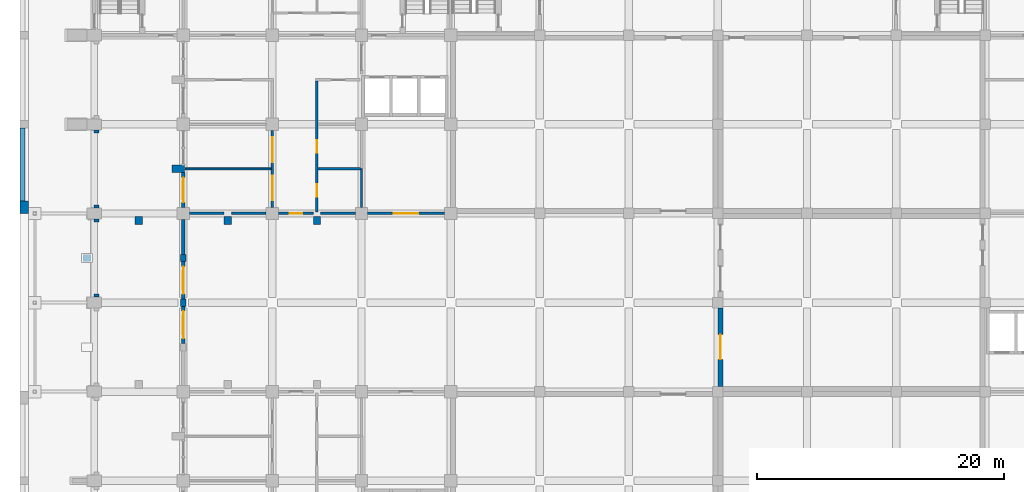
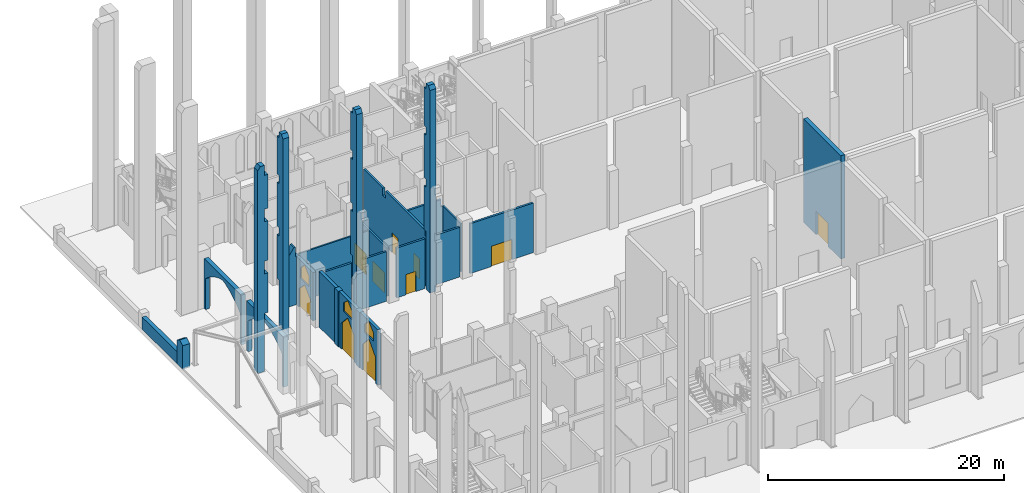
# One storey, part 32 of 50: 26 walls, 10 doors, 3 windows, 13 openings.
"""IFC4 building model written with IfcOpenShell, lengths in metres."""

import ifcopenshell
import ifcopenshell.guid

model = None  # the IFC model being written
_history = None  # IfcOwnerHistory: only IFC2X3 demands one
_inside = {}  # id of a spatial element -> (the spatial element, [elements in it])
_under = {}  # id of a project, library or spatial element -> (it, [spatial elements below it])
_declared = {}  # id of a project -> (the project, [libraries it declares])
_typed = {}  # id of a type object -> (the type object, [elements of that type])
_made_of = {}  # id of a material, layer set ... -> (it, [elements and type objects made of it])


def new_model(schema):
    """Start an empty IFC model of exactly this schema.

    Asked for "IFC4X3", IfcOpenShell would pick the latest addendum, in which some entities
    have other attributes; the version numbers below select the first issue.
    IFC2X3 requires an IfcOwnerHistory on every rooted entity: one is made here for all.
    """
    global model, _history
    if schema == "IFC4X3":
        model = ifcopenshell.file(schema_version=(4, 3, 0, 0))
    else:
        model = ifcopenshell.file(schema=schema)
    _inside.clear()
    _under.clear()
    _declared.clear()
    _typed.clear()
    _made_of.clear()
    _history = None
    if model.schema == "IFC2X3":
        org = make("IfcOrganization", Name="unknown")
        user = make(
            "IfcPersonAndOrganization",
            ThePerson=make("IfcPerson", FamilyName="unknown"),
            TheOrganization=org,
        )
        app = make(
            "IfcApplication",
            ApplicationDeveloper=org,
            Version="unknown",
            ApplicationFullName="unknown",
            ApplicationIdentifier="unknown",
        )
        _history = make(
            "IfcOwnerHistory",
            OwningUser=user,
            OwningApplication=app,
            ChangeAction="ADDED",
            CreationDate=0,
        )
    return model


def make(cls, **values):
    """One entity of the class cls with the attributes given. An attribute that is None is left unset."""
    return model.create_entity(
        cls, **{name: value for name, value in values.items() if value is not None}
    )


def rooted(cls, **values):
    """An entity with a GlobalId (a new one), such as an element, a storey or a relation."""
    return make(cls, GlobalId=ifcopenshell.guid.new(), OwnerHistory=_history, **values)


def si_unit(unit_type, name, prefix=None):
    """IfcSIUnit, for example si_unit("LENGTHUNIT", "METRE", prefix="MILLI")."""
    return make("IfcSIUnit", UnitType=unit_type, Prefix=prefix, Name=name)


def assignment(units):
    """IfcUnitAssignment: the units of a project."""
    return None if units is None else make("IfcUnitAssignment", Units=units)


def point(xyz):
    """IfcCartesianPoint."""
    return None if xyz is None else make("IfcCartesianPoint", Coordinates=xyz)


def direction(xyz):
    """IfcDirection."""
    return None if xyz is None else make("IfcDirection", DirectionRatios=xyz)


def frame(location, z_axis=None, x_axis=None):
    """IfcAxis2Placement3D, a coordinate frame: its origin and axes. An axis left out is left unset."""
    return make(
        "IfcAxis2Placement3D",
        Location=point(location),
        Axis=direction(z_axis),
        RefDirection=direction(x_axis),
    )


def frame_2d(location, x_axis=None):
    """IfcAxis2Placement2D, a coordinate frame in the plane: its origin and x axis."""
    return make(
        "IfcAxis2Placement2D", Location=point(location), RefDirection=direction(x_axis)
    )


def origin():
    """The frame at (0, 0, 0) with its axes left unset."""
    return frame((0.0, 0.0, 0.0))


def place(relative_to, where):
    """IfcLocalPlacement: puts the frame where relative to a parent placement (None: the world)."""
    return make(
        "IfcLocalPlacement", PlacementRelTo=relative_to, RelativePlacement=where
    )


def context(
    kind, dimensions, precision=None, world=None, true_north=None, identifier=None
):
    """IfcGeometricRepresentationContext, for example the 3D "Model" context."""
    return make(
        "IfcGeometricRepresentationContext",
        ContextIdentifier=identifier,
        ContextType=kind,
        CoordinateSpaceDimension=dimensions,
        Precision=precision,
        WorldCoordinateSystem=world,
        TrueNorth=true_north,
    )


def subcontext(parent, identifier, kind, view, scale=None):
    """IfcGeometricRepresentationSubContext, for example "Body" below "Model"."""
    return make(
        "IfcGeometricRepresentationSubContext",
        ContextIdentifier=identifier,
        ContextType=kind,
        ParentContext=parent,
        TargetScale=scale,
        TargetView=view,
    )


def project(units=None, contexts=None):
    """IfcProject with its units and contexts."""
    return rooted(
        "IfcProject",
        Name="project",
        RepresentationContexts=contexts,
        UnitsInContext=assignment(units),
    )


def spatial(cls, under=None, at=None, **own):
    """A site, building, storey or space (cls), placed at a placement, below another one or the project."""
    s = rooted(cls, ObjectPlacement=at, **own)
    if under is not None:
        _under.setdefault(under.id(), (under, []))[1].append(s)
    return s


def polyline(points):
    """IfcPolyline through the points."""
    return make("IfcPolyline", Points=[point(p) for p in points])


def profile(cls, at=None, kind="AREA", **sizes):
    """A parametric profile (cls). Its sizes go by their IFC names, for example OverallWidth=200.0."""
    return make(cls, ProfileType=kind, Position=at, **sizes)


def rectangle(**sizes):
    """IfcRectangleProfileDef."""
    return profile("IfcRectangleProfileDef", **sizes)


def outline(outer, holes=None, kind="AREA"):
    """IfcArbitraryClosedProfileDef: a profile drawn as a closed curve; with holes, ...WithVoids."""
    if holes is None:
        return make("IfcArbitraryClosedProfileDef", ProfileType=kind, OuterCurve=outer)
    return make(
        "IfcArbitraryProfileDefWithVoids",
        ProfileType=kind,
        OuterCurve=outer,
        InnerCurves=holes,
    )


def extrude(swept, where, along, depth):
    """IfcExtrudedAreaSolid: the profile swept, set in the frame where, extruded along a direction by depth."""
    return make(
        "IfcExtrudedAreaSolid",
        SweptArea=swept,
        Position=where,
        ExtrudedDirection=direction(along),
        Depth=depth,
    )


def shape(context_of_items, identifier, shape_type, items):
    """IfcShapeRepresentation: the items that make up one representation, for example the "Body"."""
    return make(
        "IfcShapeRepresentation",
        ContextOfItems=context_of_items,
        RepresentationIdentifier=identifier,
        RepresentationType=shape_type,
        Items=items,
    )


def material(Name=None, Category=None):
    """IfcMaterial."""
    return make("IfcMaterial", Name=Name, Category=Category)


def layer(
    of_material, thickness, ventilated=None, Name=None, Category=None, Priority=None
):
    """IfcMaterialLayer: one layer of a wall or slab, of a material (None: an air gap)."""
    return make(
        "IfcMaterialLayer",
        Material=of_material,
        LayerThickness=thickness,
        IsVentilated=ventilated,
        Name=Name,
        Category=Category,
        Priority=Priority,
    )


def layer_set(layers, Name=None):
    """IfcMaterialLayerSet."""
    return make("IfcMaterialLayerSet", MaterialLayers=layers, LayerSetName=Name)


def made_of(thing, what):
    """Note that an element or type object is made of a material, layer set ...; save() writes the relation."""
    if what is not None:
        _made_of.setdefault(what.id(), (what, []))[1].append(thing)
    return thing


def type_object(cls, material=None, **own):
    """A type object (cls), such as IfcWallType, which elements share."""
    return made_of(rooted(cls, **own), material)


def element(
    cls,
    number,
    at=None,
    inside=None,
    cuts=None,
    type_object=None,
    material=None,
    context=None,
    identifier="Body",
    shape_type=None,
    held_by="IfcProductDefinitionShape",
    body=None,
    shapes=None,
    **own,
):
    """One element of the class cls, such as IfcWall. Its Tag is "e" and its number.

    at: its placement. inside: the storey or other place that contains it. cuts: it is an
    opening in that element (IfcRelVoidsElement). A single representation is given by context,
    identifier, shape_type and body (its items); several are given by shapes. held_by: the class
    of the entity that holds the representations. save() writes the other relations.
    """
    e = rooted(cls, Tag="e%d" % number, ObjectPlacement=at, **own)
    if body is not None:
        shapes = [shape(context, identifier, shape_type, body)]
    if shapes is not None:
        e.Representation = make(held_by, Representations=shapes)
    if inside is not None:
        _inside.setdefault(inside.id(), (inside, []))[1].append(e)
    if cuts is not None:
        rooted(
            "IfcRelVoidsElement", RelatingBuildingElement=cuts, RelatedOpeningElement=e
        )
    if type_object is not None:
        _typed.setdefault(type_object.id(), (type_object, []))[1].append(e)
    return made_of(e, material)


def fill(opening, filler):
    """IfcRelFillsElement: the door or window that sits in an opening."""
    return rooted(
        "IfcRelFillsElement",
        RelatingOpeningElement=opening,
        RelatedBuildingElement=filler,
    )


def aggregate(whole, parts):
    """IfcRelAggregates: a whole, such as a stair, and the parts it consists of."""
    return rooted("IfcRelAggregates", RelatingObject=whole, RelatedObjects=parts)


def save(model, path):
    """Write the relations noted so far, then the file.

    IfcRelAggregates (storeys below a building ...), IfcRelContainedInSpatialStructure (elements
    in a storey), IfcRelDefinesByType, IfcRelAssociatesMaterial and IfcRelDeclares: one each for
    every whole, place, type object, material and project.
    """
    for whole, parts in _under.values():
        aggregate(whole, parts)
    for where, things in _inside.values():
        rooted(
            "IfcRelContainedInSpatialStructure",
            RelatedElements=things,
            RelatingStructure=where,
        )
    for kind, things in _typed.values():
        rooted("IfcRelDefinesByType", RelatedObjects=things, RelatingType=kind)
    for what, things in _made_of.values():
        rooted("IfcRelAssociatesMaterial", RelatedObjects=things, RelatingMaterial=what)
    for by, libraries in _declared.values():
        rooted("IfcRelDeclares", RelatingContext=by, RelatedDefinitions=libraries)
    model.write(path)


model = new_model("IFC4")

# Units and contexts
model_context = context("Model", 3, precision=1e-05, world=origin(), true_north=direction((0.0, 1.0)))
body_context = subcontext(model_context, "Body", "Model", "MODEL_VIEW")
ifc_project = project(units=[si_unit("LENGTHUNIT", "METRE"), si_unit("AREAUNIT", "SQUARE_METRE"), si_unit("VOLUMEUNIT", "CUBIC_METRE"), si_unit("PLANEANGLEUNIT", "RADIAN"), si_unit("MASSUNIT", "GRAM", prefix="KILO")], contexts=[model_context])

# Site, building, storey
site_placement = place(None, origin())
site = spatial("IfcSite", under=ifc_project, at=site_placement, CompositionType="ELEMENT")
building_placement = place(site_placement, origin())
building = spatial("IfcBuilding", under=site, at=building_placement, Name="Silangan Lancet Faculty of Sciences", CompositionType="ELEMENT")
storey_placement = place(building_placement, origin())
storey = spatial("IfcBuildingStorey", under=building, at=storey_placement, Name="L00", CompositionType="ELEMENT", Elevation=0.0)

# Wall, openings, window, door
ifc_material_1 = material(Name="Concrete C40/50 precast", Category="concrete")
ifc_layer_1 = layer(ifc_material_1, 0.300048828125)
ifc_layer_set_1 = layer_set([ifc_layer_1], Name="Concrete C40/50 precast")
wall_type_1 = type_object("IfcWallType", Name="EW1 Precast cladding wall", PredefinedType="STANDARD", material=ifc_layer_set_1)
wall_1_placement = place(storey_placement, frame((7.199951171875, 36.5, 0.0), z_axis=(0.0, 0.0, 1.0), x_axis=(0.0, 1.0, 0.0)))
wall_1 = element("IfcWall", 1, at=wall_1_placement, inside=storey, type_object=wall_type_1, Name="EW-L00-SHOP-W-N-m00", PredefinedType="STANDARD", context=body_context, shape_type="SweptSolid", body=[
    extrude(rectangle(XDim=2.800048828125, YDim=0.300048828125, at=frame_2d((1.39990234375, 0.0))), origin(), (0.0, 0.0, 1.0), 5.0),
])
opening_1_placement = place(wall_1_placement, frame((0.39990234375, 0.0, 0.0)))
opening_1 = element("IfcOpeningElement", 2, at=opening_1_placement, cuts=wall_1, Name="Opening L00-922", PredefinedType="OPENING", context=body_context, shape_type="SweptSolid", body=[
    extrude(outline(polyline([(0.0, 0.0), (2.0, 0.0), (2.0, 1.89990234375), (1.0, 2.89990234375), (0.0, 1.89990234375), (0.0, 0.0)])), frame((0.0, 0.159912109375, 0.0), z_axis=(0.0, -1.0, 0.0), x_axis=(1.0, 0.0, 0.0)), (0.0, 0.0, 1.0), 0.320068359375),
])
opening_2_placement = place(wall_1_placement, frame((0.64990234375, 0.0, 3.14990234375)))
opening_2 = element("IfcOpeningElement", 3, at=opening_2_placement, cuts=wall_1, Name="Opening W1", PredefinedType="OPENING", context=body_context, shape_type="SweptSolid", body=[
    extrude(outline(polyline([(0.0, 0.0), (1.5, 0.0), (1.5, 1.050048828125), (0.75, 1.800048828125), (0.0, 1.050048828125), (0.0, 0.0)])), frame((0.0, 0.159912109375, 0.0), z_axis=(0.0, -1.0, 0.0), x_axis=(1.0, 0.0, 0.0)), (0.0, 0.0, 1.0), 0.320068359375),
])
ifc_material_2 = material(Name="Aluminium frame, laminated double glazing", Category="aluminium")
window_type_1 = type_object("IfcWindowType", Name="W1 Lancet window 1500 x 1800 on a 3150 sill", PartitioningType="SINGLE_PANEL", PredefinedType="WINDOW", material=ifc_material_2)
window_1_placement = place(opening_2_placement, origin())
window_1 = element("IfcWindow", 4, at=window_1_placement, inside=storey, type_object=window_type_1, Name="WIN-L00-SHOP-W-N-m00", OverallHeight=1.800048828125, OverallWidth=1.5, PartitioningType="SINGLE_PANEL", PredefinedType="WINDOW", context=body_context, shape_type="SweptSolid", body=[
    extrude(outline(polyline([(0.0, 0.0), (1.5, 0.0), (1.5, 1.050048828125), (0.75, 1.800048828125), (0.0, 1.050048828125), (0.0, 0.0)])), frame((0.0, 0.030029296875, 0.0), z_axis=(0.0, -1.0, 0.0), x_axis=(1.0, 0.0, 0.0)), (0.0, 0.0, 1.0), 0.06005859375),
])
fill(opening_2, window_1)
ifc_material_3 = material(Name="Aluminium frame, laminated glazing", Category="aluminium")
door_type_1 = type_object("IfcDoorType", Name="XD7 Entrance door pair 2000 x 2900", OperationType="DOUBLE_DOOR_SINGLE_SWING", PredefinedType="DOOR", material=ifc_material_3)
door_1_placement = place(opening_1_placement, origin())
door_1 = element("IfcDoor", 5, at=door_1_placement, inside=storey, type_object=door_type_1, Name="DOOR-L00-922", OperationType="DOUBLE_DOOR_SINGLE_SWING", OverallHeight=2.89990234375, OverallWidth=2.0, PredefinedType="DOOR", context=body_context, shape_type="SweptSolid", body=[
    extrude(outline(polyline([(0.0, 0.0), (2.0, 0.0), (2.0, 1.89990234375), (1.0, 2.89990234375), (0.0, 1.89990234375), (0.0, 0.0)])), frame((0.0, 0.02490234375, 0.0), z_axis=(0.0, -1.0, 0.0), x_axis=(1.0, 0.0, 0.0)), (0.0, 0.0, 1.0), 0.050048828125),
])
fill(opening_1, door_1)

# Walls
ifc_material_4 = material(Name="Concrete C40/50", Category="concrete")
ifc_layer_2 = layer(ifc_material_4, 0.39990234375)
ifc_layer_set_2 = layer_set([ifc_layer_2], Name="Concrete C40/50")
wall_type_2 = type_object("IfcWallType", Name="EW11 Forecourt stone wall 400", PredefinedType="STANDARD", material=ifc_layer_set_2)
wall_2_placement = place(storey_placement, frame((-5.800048828125, 37.0, -0.14990234375), z_axis=(0.0, 0.0, 1.0), x_axis=(0.0, 1.0, 0.0)))
element("IfcWall", 6, at=wall_2_placement, inside=storey, type_object=wall_type_2, Name="BWF-05", PredefinedType="STANDARD", context=body_context, shape_type="SweptSolid", body=[
    extrude(rectangle(XDim=5.89990234375, YDim=0.39990234375, at=frame_2d((2.949951171875, 0.0))), origin(), (0.0, 0.0, 1.0), 1.25),
])
ifc_material_5 = material(Name="Concrete C40/50", Category="concrete")
ifc_layer_3 = layer(ifc_material_5, 0.699951171875)
ifc_layer_set_3 = layer_set([ifc_layer_3], Name="Concrete C40/50")
wall_type_3 = type_object("IfcWallType", Name="EW13 Forecourt gate pier with gabled cap", PredefinedType="POLYGONAL", material=ifc_layer_set_3)
wall_3_placement = place(storey_placement, frame((-5.64990234375, 36.0, -0.14990234375), z_axis=(0.0, 0.0, 1.0), x_axis=(0.0, 1.0, 0.0)))
element("IfcWall", 7, at=wall_3_placement, inside=storey, type_object=wall_type_3, Name="BPG-02", PredefinedType="POLYGONAL", context=body_context, shape_type="SweptSolid", body=[
    extrude(outline(polyline([(0.0, 0.0), (1.0, 0.0), (1.0, 2.449951171875), (0.5, 2.75), (0.0, 2.449951171875), (0.0, 0.0)])), frame((0.0, 0.35009765625, 0.0), z_axis=(0.0, -1.0, 0.0), x_axis=(1.0, 0.0, 0.0)), (0.0, 0.0, 1.0), 0.699951171875),
])

# Wall, openings, window, door
ifc_material_6 = material(Name="Concrete C40/50 precast", Category="concrete")
ifc_layer_4 = layer(ifc_material_6, 0.300048828125)
ifc_layer_set_4 = layer_set([ifc_layer_4], Name="Concrete C40/50 precast")
wall_type_4 = type_object("IfcWallType", Name="EW3 Portal wall", PredefinedType="SOLIDWALL", material=ifc_layer_set_4)
wall_4_placement = place(storey_placement, frame((7.199951171875, 25.5, 0.0), z_axis=(0.0, 0.0, 1.0), x_axis=(0.0, 1.0, 0.0)))
wall_4 = element("IfcWall", 8, at=wall_4_placement, inside=storey, type_object=wall_type_4, Name="PORTAL-BAY-S", PredefinedType="SOLIDWALL", context=body_context, shape_type="SweptSolid", body=[
    extrude(rectangle(XDim=3.0, YDim=0.300048828125, at=frame_2d((1.5, 0.0))), origin(), (0.0, 0.0, 1.0), 5.75),
])
opening_3_placement = place(wall_4_placement, frame((0.39990234375, 0.0, 0.0)))
opening_3 = element("IfcOpeningElement", 9, at=opening_3_placement, cuts=wall_4, Name="Opening L00-923", PredefinedType="OPENING", context=body_context, shape_type="SweptSolid", body=[
    extrude(outline(polyline([(0.0, 0.0), (2.199951171875, 0.0), (2.199951171875, 2.699951171875), (1.10009765625, 3.89990234375), (0.0, 2.699951171875), (0.0, 0.0)])), frame((0.0, 0.159912109375, 0.0), z_axis=(0.0, -1.0, 0.0), x_axis=(1.0, 0.0, 0.0)), (0.0, 0.0, 1.0), 0.320068359375),
])
opening_4_placement = place(wall_4_placement, frame((0.75, 0.0, 4.14990234375)))
opening_4 = element("IfcOpeningElement", 10, at=opening_4_placement, cuts=wall_4, Name="Opening W29", PredefinedType="OPENING", context=body_context, shape_type="SweptSolid", body=[
    extrude(outline(polyline([(0.0, 0.0), (1.5, 0.0), (1.5, 0.85009765625), (0.75, 1.550048828125), (0.0, 0.85009765625), (0.0, 0.0)])), frame((0.0, 0.159912109375, 0.0), z_axis=(0.0, -1.0, 0.0), x_axis=(1.0, 0.0, 0.0)), (0.0, 0.0, 1.0), 0.320068359375),
])
ifc_material_7 = material(Name="Aluminium frame, laminated double glazing", Category="aluminium")
window_type_2 = type_object("IfcWindowType", Name="W29 Lancet window 1500 x 1550 on a 4150 sill", PartitioningType="SINGLE_PANEL", PredefinedType="WINDOW", material=ifc_material_7)
window_2_placement = place(opening_4_placement, origin())
window_2 = element("IfcWindow", 11, at=window_2_placement, inside=storey, type_object=window_type_2, Name="WIN-L00-PORTAL-BAY-S", OverallHeight=1.550048828125, OverallWidth=1.5, PartitioningType="SINGLE_PANEL", PredefinedType="WINDOW", context=body_context, shape_type="SweptSolid", body=[
    extrude(outline(polyline([(0.0, 0.0), (1.5, 0.0), (1.5, 0.85009765625), (0.75, 1.550048828125), (0.0, 0.85009765625), (0.0, 0.0)])), frame((0.0, 0.030029296875, 0.0), z_axis=(0.0, -1.0, 0.0), x_axis=(1.0, 0.0, 0.0)), (0.0, 0.0, 1.0), 0.06005859375),
])
fill(opening_4, window_2)
ifc_material_8 = material(Name="Aluminium frame, laminated glazing", Category="aluminium")
door_type_2 = type_object("IfcDoorType", Name="XD8 Portal door pair 2200 x 3900", OperationType="DOUBLE_DOOR_SINGLE_SWING", PredefinedType="DOOR", material=ifc_material_8)
door_2_placement = place(opening_3_placement, origin())
door_2 = element("IfcDoor", 12, at=door_2_placement, inside=storey, type_object=door_type_2, Name="DOOR-L00-923", OperationType="DOUBLE_DOOR_SINGLE_SWING", OverallHeight=3.89990234375, OverallWidth=2.199951171875, PredefinedType="DOOR", context=body_context, shape_type="SweptSolid", body=[
    extrude(outline(polyline([(0.0, 0.0), (2.199951171875, 0.0), (2.199951171875, 2.699951171875), (1.10009765625, 3.89990234375), (0.0, 2.699951171875), (0.0, 0.0)])), frame((0.0, 0.02490234375, 0.0), z_axis=(0.0, -1.0, 0.0), x_axis=(1.0, 0.0, 0.0)), (0.0, 0.0, 1.0), 0.050048828125),
])
fill(opening_3, door_2)

wall_5_placement = place(storey_placement, frame((7.199951171875, 29.10009765625, 0.0), z_axis=(0.0, 0.0, 1.0), x_axis=(0.0, 1.0, 0.0)))
wall_5 = element("IfcWall", 13, at=wall_5_placement, inside=storey, type_object=wall_type_4, Name="PORTAL-BAY-N", PredefinedType="SOLIDWALL", context=body_context, shape_type="SweptSolid", body=[
    extrude(rectangle(XDim=3.0, YDim=0.300048828125, at=frame_2d((1.5, 0.0))), origin(), (0.0, 0.0, 1.0), 5.75),
])
opening_5_placement = place(wall_5_placement, frame((0.39990234375, 0.0, 0.0)))
opening_5 = element("IfcOpeningElement", 14, at=opening_5_placement, cuts=wall_5, Name="Opening L00-924", PredefinedType="OPENING", context=body_context, shape_type="SweptSolid", body=[
    extrude(outline(polyline([(0.0, 0.0), (2.199951171875, 0.0), (2.199951171875, 2.699951171875), (1.10009765625, 3.89990234375), (0.0, 2.699951171875), (0.0, 0.0)])), frame((0.0, 0.159912109375, 0.0), z_axis=(0.0, -1.0, 0.0), x_axis=(1.0, 0.0, 0.0)), (0.0, 0.0, 1.0), 0.320068359375),
])
opening_6_placement = place(wall_5_placement, frame((0.75, 0.0, 4.14990234375)))
opening_6 = element("IfcOpeningElement", 15, at=opening_6_placement, cuts=wall_5, Name="Opening W29", PredefinedType="OPENING", context=body_context, shape_type="SweptSolid", body=[
    extrude(outline(polyline([(0.0, 0.0), (1.5, 0.0), (1.5, 0.85009765625), (0.75, 1.550048828125), (0.0, 0.85009765625), (0.0, 0.0)])), frame((0.0, 0.159912109375, 0.0), z_axis=(0.0, -1.0, 0.0), x_axis=(1.0, 0.0, 0.0)), (0.0, 0.0, 1.0), 0.320068359375),
])
window_3_placement = place(opening_6_placement, origin())
window_3 = element("IfcWindow", 16, at=window_3_placement, inside=storey, type_object=window_type_2, Name="WIN-L00-PORTAL-BAY-N", OverallHeight=1.550048828125, OverallWidth=1.5, PartitioningType="SINGLE_PANEL", PredefinedType="WINDOW", context=body_context, shape_type="SweptSolid", body=[
    extrude(outline(polyline([(0.0, 0.0), (1.5, 0.0), (1.5, 0.85009765625), (0.75, 1.550048828125), (0.0, 0.85009765625), (0.0, 0.0)])), frame((0.0, 0.030029296875, 0.0), z_axis=(0.0, -1.0, 0.0), x_axis=(1.0, 0.0, 0.0)), (0.0, 0.0, 1.0), 0.06005859375),
])
fill(opening_6, window_3)
door_3_placement = place(opening_5_placement, origin())
door_3 = element("IfcDoor", 17, at=door_3_placement, inside=storey, type_object=door_type_2, Name="DOOR-L00-924", OperationType="DOUBLE_DOOR_SINGLE_SWING", OverallHeight=3.89990234375, OverallWidth=2.199951171875, PredefinedType="DOOR", context=body_context, shape_type="SweptSolid", body=[
    extrude(outline(polyline([(0.0, 0.0), (2.199951171875, 0.0), (2.199951171875, 2.699951171875), (1.10009765625, 3.89990234375), (0.0, 2.699951171875), (0.0, 0.0)])), frame((0.0, 0.02490234375, 0.0), z_axis=(0.0, -1.0, 0.0), x_axis=(1.0, 0.0, 0.0)), (0.0, 0.0, 1.0), 0.050048828125),
])
fill(opening_5, door_3)

# Walls
wall_6_placement = place(storey_placement, frame((7.199951171875, 32.699951171875, 0.0), z_axis=(0.0, 0.0, 1.0), x_axis=(0.0, 1.0, 0.0)))
element("IfcWall", 18, at=wall_6_placement, inside=storey, type_object=wall_type_4, Name="PORTAL-FLANK-N", PredefinedType="SOLIDWALL", context=body_context, shape_type="SweptSolid", body=[
    extrude(rectangle(XDim=2.800048828125, YDim=0.300048828125, at=frame_2d((1.39990234375, 0.0))), origin(), (0.0, 0.0, 1.0), 5.75),
])
ifc_material_9 = material(Name="Concrete C40/50 precast", Category="concrete")
ifc_layer_5 = layer(ifc_material_9, 0.449951171875)
ifc_layer_set_5 = layer_set([ifc_layer_5], Name="Concrete C40/50 precast")
wall_type_5 = type_object("IfcWallType", Name="EW4 Portal frame pier", PredefinedType="SOLIDWALL", material=ifc_layer_set_5)
wall_7_placement = place(storey_placement, frame((7.199951171875, 28.5, 0.0), z_axis=(0.0, 0.0, 1.0), x_axis=(0.0, 1.0, 0.0)))
element("IfcWall", 19, at=wall_7_placement, inside=storey, type_object=wall_type_5, Name="PORTAL-PIER-C", PredefinedType="SOLIDWALL", context=body_context, shape_type="SweptSolid", body=[
    extrude(rectangle(XDim=0.60009765625, YDim=0.449951171875, at=frame_2d((0.300048828125, 0.0))), origin(), (0.0, 0.0, 1.0), 5.75),
])
wall_8_placement = place(storey_placement, frame((7.199951171875, 32.10009765625, 0.0), z_axis=(0.0, 0.0, 1.0), x_axis=(0.0, 1.0, 0.0)))
element("IfcWall", 20, at=wall_8_placement, inside=storey, type_object=wall_type_5, Name="PORTAL-PIER-N", PredefinedType="SOLIDWALL", context=body_context, shape_type="SweptSolid", body=[
    extrude(rectangle(XDim=0.599853515625, YDim=0.449951171875, at=frame_2d((0.2998046875, 0.0))), origin(), (0.0, 0.0, 1.0), 5.75),
])
ifc_material_10 = material(Name="Concrete C40/50 precast", Category="concrete")
ifc_layer_6 = layer(ifc_material_10, 0.39990234375)
ifc_layer_set_6 = layer_set([ifc_layer_6], Name="Concrete C40/50 precast")
wall_type_6 = type_object("IfcWallType", Name="EW5 Arcade spandrel arch", PredefinedType="POLYGONAL", material=ifc_layer_set_6)
for number, where, z_axis, x_axis, name in (
    (21, (0.199951171875, 29.25, 0.0), (0.0, 0.0, 1.0), (0.0, 1.0, 0.0), "ARC-L00-04"),
    (22, (0.199951171875, 36.449951171875, 0.0), (0.0, 0.0, 1.0), (0.0, 1.0, 0.0), "ARC-L00-05"),
):
    element("IfcWall", number, at=place(storey_placement, frame(where, z_axis=z_axis, x_axis=x_axis)), inside=storey, type_object=wall_type_6, Name=name, PredefinedType="POLYGONAL", context=body_context, shape_type="SweptSolid", body=[
        extrude(outline(polyline([(0.0, 0.0), (0.25, 0.0), (0.25, 3.199951171875), (0.492431640625, 3.4326171875), (0.747802734375, 3.650634765625), (1.015380859375, 3.853515625), (1.294189453125, 4.040771484375), (1.583251953125, 4.21142578125), (1.882080078125, 4.364990234375), (2.18896484375, 4.501220703125), (2.50341796875, 4.619384765625), (2.82421875, 4.718994140625), (3.14990234375, 4.800048828125), (3.475830078125, 4.718994140625), (3.796630859375, 4.619384765625), (4.111083984375, 4.501220703125), (4.41796875, 4.364990234375), (4.716796875, 4.21142578125), (5.005859375, 4.040771484375), (5.28466796875, 3.853515625), (5.55224609375, 3.650634765625), (5.8076171875, 3.4326171875), (6.050048828125, 3.199951171875), (6.050048828125, 0.0), (6.300048828125, 0.0), (6.300048828125, 5.14990234375), (0.0, 5.14990234375), (0.0, 0.0)])), frame((0.0, 0.199951171875, 0.0), z_axis=(0.0, -1.0, 0.0), x_axis=(1.0, 0.0, 0.0)), (0.0, 0.0, 1.0), 0.39990234375),
    ])
ifc_material_11 = material(Name="Concrete C40/50 precast", Category="concrete")
ifc_layer_7 = layer(ifc_material_11, 0.60009765625)
ifc_layer_set_7 = layer_set([ifc_layer_7], Name="Concrete C40/50 precast")
wall_type_7 = type_object("IfcWallType", Name="FN3 Buttress Fin mid-bay stage 1 21350", PredefinedType="POLYGONAL", material=ifc_layer_set_7)
for number, where, z_axis, x_axis, name in (
    (23, (3.60009765625, 36.10009765625, 0.0), (0.0, 0.0, 1.0), (0.0, -1.0, 0.0), "FIN-ATR-NT-1"),
    (24, (10.800048828125, 36.10009765625, 0.0), (0.0, 0.0, 1.0), (0.0, -1.0, 0.0), "FIN-ATR-NT-3"),
    (25, (18.0, 36.10009765625, 0.0), (0.0, 0.0, 1.0), (0.0, -1.0, 0.0), "FIN-ATR-NT-5"),
):
    element("IfcWall", number, at=place(storey_placement, frame(where, z_axis=z_axis, x_axis=x_axis)), inside=storey, type_object=wall_type_7, Name=name, PredefinedType="POLYGONAL", context=body_context, shape_type="SweptSolid", body=[
        extrude(outline(polyline([(1.0, 0.0), (1.0, 20.97509765625), (0.75, 21.35009765625), (0.35009765625, 21.35009765625), (0.35009765625, 20.75), (0.0, 20.75), (0.0, 16.800048828125), (0.35009765625, 16.800048828125), (0.35009765625, 15.949951171875), (0.0, 15.949951171875), (0.0, 11.39990234375), (0.35009765625, 11.39990234375), (0.35009765625, 10.550048828125), (0.0, 10.550048828125), (0.0, 6.0), (0.35009765625, 6.0), (0.35009765625, 0.0), (1.0, 0.0)])), frame((0.0, 0.300048828125, 0.0), z_axis=(0.0, -1.0, 0.0), x_axis=(1.0, 0.0, 0.0)), (0.0, 0.0, 1.0), 0.60009765625),
    ])
ifc_material_12 = material(Name="Concrete C40/50 precast", Category="concrete")
ifc_layer_8 = layer(ifc_material_12, 0.60009765625)
ifc_layer_set_8 = layer_set([ifc_layer_8], Name="Concrete C40/50 precast")
wall_type_8 = type_object("IfcWallType", Name="FN5 Buttress Fin mid-bay stage 1 21350", PredefinedType="POLYGONAL", material=ifc_layer_set_8)
wall_9_placement = place(storey_placement, frame((0.10009765625, 32.39990234375, 0.0), z_axis=(0.0, 0.0, 1.0), x_axis=(-1.0, 0.0, 0.0)))
element("IfcWall", 26, at=wall_9_placement, inside=storey, type_object=wall_type_8, Name="FIN-W-NAVE-3", PredefinedType="POLYGONAL", context=body_context, shape_type="SweptSolid", body=[
    extrude(outline(polyline([(1.0, 0.0), (1.0, 20.97509765625), (0.75, 21.35009765625), (0.35009765625, 21.35009765625), (0.35009765625, 20.300048828125), (0.0, 20.300048828125), (0.0, 16.800048828125), (0.35009765625, 16.800048828125), (0.35009765625, 15.5), (0.0, 15.5), (0.0, 11.39990234375), (0.35009765625, 11.39990234375), (0.35009765625, 10.10009765625), (0.0, 10.10009765625), (0.0, 6.0), (0.35009765625, 6.0), (0.35009765625, 0.0), (1.0, 0.0)])), frame((0.0, 0.300048828125, 0.0), z_axis=(0.0, -1.0, 0.0), x_axis=(1.0, 0.0, 0.0)), (0.0, 0.0, 1.0), 0.60009765625),
])
ifc_material_13 = material(Name="Concrete C40/50 precast", Category="concrete")
ifc_layer_9 = layer(ifc_material_13, 0.60009765625)
ifc_layer_set_9 = layer_set([ifc_layer_9], Name="Concrete C40/50 precast")
wall_type_9 = type_object("IfcWallType", Name="FN9 Buttress Fin mid-bay stage 1 6000", PredefinedType="POLYGONAL", material=ifc_layer_set_9)
wall_10_placement = place(storey_placement, frame((7.300048828125, 39.60009765625, 0.0), z_axis=(0.0, 0.0, 1.0), x_axis=(-1.0, 0.0, 0.0)))
element("IfcWall", 27, at=wall_10_placement, inside=storey, type_object=wall_type_9, Name="FIN-SHOP-W-N-1", PredefinedType="POLYGONAL", context=body_context, shape_type="SweptSolid", body=[
    extrude(outline(polyline([(1.0, 0.0), (1.0, 5.25), (0.5, 6.0), (0.35009765625, 6.0), (0.35009765625, 5.0), (0.0, 5.0), (0.0, 0.0), (1.0, 0.0)])), frame((0.0, 0.300048828125, 0.0), z_axis=(0.0, -1.0, 0.0), x_axis=(1.0, 0.0, 0.0)), (0.0, 0.0, 1.0), 0.60009765625),
])
ifc_material_14 = material(Name="Hollow block masonry fm 7 MPa", Category="masonry")
ifc_layer_10 = layer(ifc_material_14, 0.199951171875)
ifc_layer_set_10 = layer_set([ifc_layer_10], Name="Hollow block masonry fm 7 MPa")
wall_type_10 = type_object("IfcWallType", Name="Interior wall PW1 Corridor wall CHB 200", PredefinedType="PARTITIONING", material=ifc_layer_set_10)
wall_11_placement = place(storey_placement, frame((7.699951171875, 36.0, 0.0), z_axis=(0.0, 0.0, 1.0), x_axis=(1.0, 0.0, 0.0)))
element("IfcWall", 28, at=wall_11_placement, inside=storey, type_object=wall_type_10, Name="Corridor wall CHB 200", PredefinedType="PARTITIONING", context=body_context, shape_type="SweptSolid", body=[
    extrude(rectangle(XDim=2.800048828125, YDim=0.199951171875, at=frame_2d((1.39990234375, 0.0))), origin(), (0.0, 0.0, 1.0), 5.14990234375),
])
wall_12_placement = place(storey_placement, frame((11.10009765625, 36.0, 0.0), z_axis=(0.0, 0.0, 1.0), x_axis=(1.0, 0.0, 0.0)))
element("IfcWall", 29, at=wall_12_placement, inside=storey, type_object=wall_type_10, Name="Corridor wall CHB 200", PredefinedType="PARTITIONING", context=body_context, shape_type="SweptSolid", body=[
    extrude(rectangle(XDim=2.7998046875, YDim=0.199951171875, at=frame_2d((1.39990234375, 0.0))), origin(), (0.0, 0.0, 1.0), 5.14990234375),
])

# Wall, opening, door
wall_13_placement = place(storey_placement, frame((14.89990234375, 36.0, 0.0), z_axis=(0.0, 0.0, 1.0), x_axis=(1.0, 0.0, 0.0)))
wall_13 = element("IfcWall", 30, at=wall_13_placement, inside=storey, type_object=wall_type_10, Name="Corridor wall CHB 200", PredefinedType="PARTITIONING", context=body_context, shape_type="SweptSolid", body=[
    extrude(rectangle(XDim=2.800048828125, YDim=0.199951171875, at=frame_2d((1.39990234375, 0.0))), origin(), (0.0, 0.0, 1.0), 5.14990234375),
])
opening_7_placement = place(wall_13_placement, frame((0.89990234375, 0.0, 0.0)))
opening_7 = element("IfcOpeningElement", 31, at=opening_7_placement, cuts=wall_13, Name="Opening L00-002", PredefinedType="OPENING", context=body_context, shape_type="SweptSolid", body=[
    extrude(rectangle(XDim=1.0, YDim=2.10009765625, at=frame_2d((0.5, 1.050048828125))), frame((0.0, 0.10986328125, 0.0), z_axis=(0.0, -1.0, 0.0), x_axis=(1.0, 0.0, 0.0)), (0.0, 0.0, 1.0), 0.219970703125),
])
ifc_material_15 = material(Name="Steel fire door set", Category="steel")
door_type_3 = type_object("IfcDoorType", Name="Door D1 Single leaf fire door 1000 x 2100", OperationType="SINGLE_SWING_LEFT", PredefinedType="DOOR", material=ifc_material_15)
door_4_placement = place(opening_7_placement, origin())
door_4 = element("IfcDoor", 32, at=door_4_placement, inside=storey, type_object=door_type_3, Name="Single leaf fire door 1000 x 2100", OperationType="SINGLE_SWING_RIGHT", OverallHeight=2.10009765625, OverallWidth=1.0, PredefinedType="DOOR", context=body_context, shape_type="SweptSolid", body=[
    extrude(rectangle(XDim=1.0, YDim=2.10009765625, at=frame_2d((0.5, 1.050048828125))), frame((0.0, 0.02490234375, 0.0), z_axis=(0.0, -1.0, 0.0), x_axis=(1.0, 0.0, 0.0)), (0.0, 0.0, 1.0), 0.050048828125),
])
fill(opening_7, door_4)

# Wall
wall_14_placement = place(storey_placement, frame((18.300048828125, 36.0, 0.0), z_axis=(0.0, 0.0, 1.0), x_axis=(1.0, 0.0, 0.0)))
element("IfcWall", 33, at=wall_14_placement, inside=storey, type_object=wall_type_10, Name="Corridor wall CHB 200", PredefinedType="PARTITIONING", context=body_context, shape_type="SweptSolid", body=[
    extrude(rectangle(XDim=2.800048828125, YDim=0.199951171875, at=frame_2d((1.39990234375, 0.0))), origin(), (0.0, 0.0, 1.0), 5.14990234375),
])

# Wall, opening, door
wall_15_placement = place(storey_placement, frame((22.10009765625, 36.0, 0.0), z_axis=(0.0, 0.0, 1.0), x_axis=(1.0, 0.0, 0.0)))
wall_15 = element("IfcWall", 34, at=wall_15_placement, inside=storey, type_object=wall_type_10, Name="Corridor wall CHB 200", PredefinedType="PARTITIONING", context=body_context, shape_type="SweptSolid", body=[
    extrude(rectangle(XDim=6.199951171875, YDim=0.199951171875, at=frame_2d((3.10009765625, 0.0))), origin(), (0.0, 0.0, 1.0), 5.14990234375),
])
opening_8_placement = place(wall_15_placement, frame((2.10009765625, 0.0, 0.0)))
opening_8 = element("IfcOpeningElement", 35, at=opening_8_placement, cuts=wall_15, Name="Opening L00-046", PredefinedType="OPENING", context=body_context, shape_type="SweptSolid", body=[
    extrude(rectangle(XDim=2.0, YDim=2.10009765625, at=frame_2d((1.0, 1.050048828125))), frame((0.0, 0.10986328125, 0.0), z_axis=(0.0, -1.0, 0.0), x_axis=(1.0, 0.0, 0.0)), (0.0, 0.0, 1.0), 0.219970703125),
])
ifc_material_16 = material(Name="Steel fire door set", Category="steel")
door_type_4 = type_object("IfcDoorType", Name="Door D4 Double leaf fire door 2000 x 2100", OperationType="DOUBLE_DOOR_SINGLE_SWING", PredefinedType="DOOR", material=ifc_material_16)
door_5_placement = place(opening_8_placement, origin())
door_5 = element("IfcDoor", 36, at=door_5_placement, inside=storey, type_object=door_type_4, Name="Double leaf fire door 2000 x 2100", OperationType="DOUBLE_DOOR_SINGLE_SWING", OverallHeight=2.10009765625, OverallWidth=2.0, PredefinedType="DOOR", context=body_context, shape_type="SweptSolid", body=[
    extrude(rectangle(XDim=2.0, YDim=2.10009765625, at=frame_2d((1.0, 1.050048828125))), frame((0.0, 0.02490234375, 0.0), z_axis=(0.0, -1.0, 0.0), x_axis=(1.0, 0.0, 0.0)), (0.0, 0.0, 1.0), 0.050048828125),
])
fill(opening_8, door_5)

# Wall, openings, doors
wall_16_placement = place(storey_placement, frame((14.39990234375, 36.5, 0.0), z_axis=(0.0, 0.0, 1.0), x_axis=(0.0, 1.0, 0.0)))
wall_16 = element("IfcWall", 37, at=wall_16_placement, inside=storey, type_object=wall_type_10, Name="Corridor wall CHB 200", PredefinedType="PARTITIONING", context=body_context, shape_type="SweptSolid", body=[
    extrude(rectangle(XDim=6.199951171875, YDim=0.199951171875, at=frame_2d((3.10009765625, 0.0))), origin(), (0.0, 0.0, 1.0), 5.0),
])
opening_9_placement = place(wall_16_placement, frame((0.550048828125, 0.0, 0.0)))
opening_9 = element("IfcOpeningElement", 38, at=opening_9_placement, cuts=wall_16, Name="Opening L00-051", PredefinedType="OPENING", context=body_context, shape_type="SweptSolid", body=[
    extrude(rectangle(XDim=2.0, YDim=2.10009765625, at=frame_2d((1.0, 1.050048828125))), frame((0.0, 0.10986328125, 0.0), z_axis=(0.0, -1.0, 0.0), x_axis=(1.0, 0.0, 0.0)), (0.0, 0.0, 1.0), 0.219970703125),
])
opening_10_placement = place(wall_16_placement, frame((3.64990234375, 0.0, 0.0)))
opening_10 = element("IfcOpeningElement", 39, at=opening_10_placement, cuts=wall_16, Name="Opening L00-052", PredefinedType="OPENING", context=body_context, shape_type="SweptSolid", body=[
    extrude(rectangle(XDim=2.0, YDim=2.10009765625, at=frame_2d((1.0, 1.050048828125))), frame((0.0, 0.10986328125, 0.0), z_axis=(0.0, -1.0, 0.0), x_axis=(1.0, 0.0, 0.0)), (0.0, 0.0, 1.0), 0.219970703125),
])
door_6_placement = place(opening_9_placement, origin())
door_6 = element("IfcDoor", 40, at=door_6_placement, inside=storey, type_object=door_type_4, Name="Double leaf fire door 2000 x 2100", OperationType="DOUBLE_DOOR_SINGLE_SWING", OverallHeight=2.10009765625, OverallWidth=2.0, PredefinedType="DOOR", context=body_context, shape_type="SweptSolid", body=[
    extrude(rectangle(XDim=2.0, YDim=2.10009765625, at=frame_2d((1.0, 1.050048828125))), frame((0.0, 0.02490234375, 0.0), z_axis=(0.0, -1.0, 0.0), x_axis=(1.0, 0.0, 0.0)), (0.0, 0.0, 1.0), 0.050048828125),
])
fill(opening_9, door_6)
door_7_placement = place(opening_10_placement, origin())
door_7 = element("IfcDoor", 41, at=door_7_placement, inside=storey, type_object=door_type_4, Name="Double leaf fire door 2000 x 2100", OperationType="DOUBLE_DOOR_SINGLE_SWING", OverallHeight=2.10009765625, OverallWidth=2.0, PredefinedType="DOOR", context=body_context, shape_type="SweptSolid", body=[
    extrude(rectangle(XDim=2.0, YDim=2.10009765625, at=frame_2d((1.0, 1.050048828125))), frame((0.0, 0.02490234375, 0.0), z_axis=(0.0, -1.0, 0.0), x_axis=(1.0, 0.0, 0.0)), (0.0, 0.0, 1.0), 0.050048828125),
])
fill(opening_10, door_7)

wall_17_placement = place(storey_placement, frame((18.0, 36.10009765625, 0.0), z_axis=(0.0, 0.0, 1.0), x_axis=(0.0, 1.0, 0.0)))
wall_17 = element("IfcWall", 42, at=wall_17_placement, inside=storey, type_object=wall_type_10, Name="Corridor wall CHB 200", PredefinedType="PARTITIONING", context=body_context, shape_type="SweptSolid", body=[
    extrude(outline(polyline([(0.0, 0.0), (10.599853515625, 0.0), (10.599853515625, 5.75), (7.349853515625, 5.75), (7.349853515625, 5.0), (6.849853515625, 5.0), (6.849853515625, 5.75), (0.14990234375, 5.75), (0.14990234375, 5.14990234375), (0.0, 5.14990234375), (0.0, 0.0)])), frame((0.0, 0.10009765625, 0.0), z_axis=(0.0, -1.0, 0.0), x_axis=(1.0, 0.0, 0.0)), (0.0, 0.0, 1.0), 0.199951171875),
])
opening_11_placement = place(wall_17_placement, frame((4.7998046875, 0.0, 0.0)))
opening_11 = element("IfcOpeningElement", 43, at=opening_11_placement, cuts=wall_17, Name="Opening L00-048", PredefinedType="OPENING", context=body_context, shape_type="SweptSolid", body=[
    extrude(rectangle(XDim=1.0, YDim=2.10009765625, at=frame_2d((0.5, 1.050048828125))), frame((0.0, 0.10986328125, 0.0), z_axis=(0.0, -1.0, 0.0), x_axis=(1.0, 0.0, 0.0)), (0.0, 0.0, 1.0), 0.219970703125),
])
opening_12_placement = place(wall_17_placement, frame((1.25, 0.0, 0.0)))
opening_12 = element("IfcOpeningElement", 44, at=opening_12_placement, cuts=wall_17, Name="Opening L00-049", PredefinedType="OPENING", context=body_context, shape_type="SweptSolid", body=[
    extrude(rectangle(XDim=1.0, YDim=2.10009765625, at=frame_2d((0.5, 1.050048828125))), frame((0.0, 0.10986328125, 0.0), z_axis=(0.0, -1.0, 0.0), x_axis=(1.0, 0.0, 0.0)), (0.0, 0.0, 1.0), 0.219970703125),
])
door_8_placement = place(opening_11_placement, frame((1.0, 0.0, 0.0), z_axis=(0.0, 0.0, 1.0), x_axis=(-1.0, 0.0, 0.0)))
door_8 = element("IfcDoor", 45, at=door_8_placement, inside=storey, type_object=door_type_3, Name="Single leaf fire door 1000 x 2100", OperationType="SINGLE_SWING_RIGHT", OverallHeight=2.10009765625, OverallWidth=1.0, PredefinedType="DOOR", context=body_context, shape_type="SweptSolid", body=[
    extrude(rectangle(XDim=1.0, YDim=2.10009765625, at=frame_2d((0.5, 1.050048828125))), frame((0.0, 0.025146484375, 0.0), z_axis=(0.0, -1.0, 0.0), x_axis=(1.0, 0.0, 0.0)), (0.0, 0.0, 1.0), 0.050048828125),
])
fill(opening_11, door_8)
door_9_placement = place(opening_12_placement, frame((1.0, 0.0, 0.0), z_axis=(0.0, 0.0, 1.0), x_axis=(-1.0, 0.0, 0.0)))
door_9 = element("IfcDoor", 46, at=door_9_placement, inside=storey, type_object=door_type_3, Name="Single leaf fire door 1000 x 2100", OperationType="SINGLE_SWING_LEFT", OverallHeight=2.10009765625, OverallWidth=1.0, PredefinedType="DOOR", context=body_context, shape_type="SweptSolid", body=[
    extrude(rectangle(XDim=1.0, YDim=2.10009765625, at=frame_2d((0.5, 1.050048828125))), frame((0.0, 0.025146484375, 0.0), z_axis=(0.0, -1.0, 0.0), x_axis=(1.0, 0.0, 0.0)), (0.0, 0.0, 1.0), 0.050048828125),
])
fill(opening_12, door_9)

# Wall, opening, door
ifc_material_17 = material(Name="Concrete C35/45", Category="concrete")
ifc_layer_11 = layer(ifc_material_17, 0.39990234375)
ifc_layer_set_11 = layer_set([ifc_layer_11], Name="Concrete C35/45")
wall_type_11 = type_object("IfcWallType", Name="Interior wall PW10 Theatre box wall RC 400", PredefinedType="SOLIDWALL", material=ifc_layer_set_11)
wall_18_placement = place(storey_placement, frame((50.60009765625, 22.02490234375, 0.0), z_axis=(0.0, 0.0, 1.0), x_axis=(0.0, 1.0, 0.0)))
wall_18 = element("IfcWall", 47, at=wall_18_placement, inside=storey, type_object=wall_type_11, Name="Theatre box wall RC 400", PredefinedType="SOLIDWALL", context=body_context, shape_type="SweptSolid", body=[
    extrude(rectangle(XDim=6.35009765625, YDim=0.39990234375, at=frame_2d((3.175048828125, 0.0))), origin(), (0.0, 0.0, 1.0), 10.699951171875),
])
opening_13_placement = place(wall_18_placement, frame((2.175048828125, 0.0, 0.0)))
opening_13 = element("IfcOpeningElement", 48, at=opening_13_placement, cuts=wall_18, Name="Opening L00-017", PredefinedType="OPENING", context=body_context, shape_type="SweptSolid", body=[
    extrude(rectangle(XDim=2.0, YDim=2.39990234375, at=frame_2d((1.0, 1.199951171875))), frame((0.0, 0.2099609375, 0.0), z_axis=(0.0, -1.0, 0.0), x_axis=(1.0, 0.0, 0.0)), (0.0, 0.0, 1.0), 0.419921875),
])
ifc_material_18 = material(Name="Steel fire door set", Category="steel")
door_type_5 = type_object("IfcDoorType", Name="Door D6 Hall double door 2000 x 2400", OperationType="DOUBLE_DOOR_SINGLE_SWING", PredefinedType="DOOR", material=ifc_material_18)
door_10_placement = place(opening_13_placement, origin())
door_10 = element("IfcDoor", 49, at=door_10_placement, inside=storey, type_object=door_type_5, Name="Hall double door 2000 x 2400", OperationType="DOUBLE_DOOR_SINGLE_SWING", OverallHeight=2.39990234375, OverallWidth=2.0, PredefinedType="DOOR", context=body_context, shape_type="SweptSolid", body=[
    extrude(rectangle(XDim=2.0, YDim=2.39990234375, at=frame_2d((1.0, 1.199951171875))), frame((0.0, 0.02490234375, 0.0), z_axis=(0.0, -1.0, 0.0), x_axis=(1.0, 0.0, 0.0)), (0.0, 0.0, 1.0), 0.050048828125),
])
fill(opening_13, door_10)

# Walls
ifc_material_19 = material(Name="Hollow block masonry fm 7 MPa", Category="masonry")
ifc_layer_12 = layer(ifc_material_19, 0.14990234375)
ifc_layer_set_12 = layer_set([ifc_layer_12], Name="Hollow block masonry fm 7 MPa")
wall_type_12 = type_object("IfcWallType", Name="Interior wall PW3 Partition CHB 150", PredefinedType="PARTITIONING", material=ifc_layer_set_12)
wall_19_placement = place(storey_placement, frame((7.35009765625, 39.60009765625, 0.0), z_axis=(0.0, 0.0, 1.0), x_axis=(1.0, 0.0, 0.0)))
element("IfcWall", 50, at=wall_19_placement, inside=storey, type_object=wall_type_12, Name="Partition CHB 150", PredefinedType="PARTITIONING", context=body_context, shape_type="SweptSolid", body=[
    extrude(rectangle(XDim=6.949951171875, YDim=0.14990234375, at=frame_2d((3.47509765625, 0.0))), origin(), (0.0, 0.0, 1.0), 5.0),
])
wall_20_placement = place(storey_placement, frame((21.60009765625, 36.5, 0.0), z_axis=(0.0, 0.0, 1.0), x_axis=(0.0, 1.0, 0.0)))
element("IfcWall", 51, at=wall_20_placement, inside=storey, type_object=wall_type_12, Name="Partition CHB 150", PredefinedType="PARTITIONING", context=body_context, shape_type="SweptSolid", body=[
    extrude(rectangle(XDim=3.10009765625, YDim=0.14990234375, at=frame_2d((1.550048828125, 0.0))), origin(), (0.0, 0.0, 1.0), 5.0),
])
ifc_material_20 = material(Name="Hollow block masonry fm 7 MPa", Category="masonry")
ifc_layer_13 = layer(ifc_material_20, 0.199951171875)
ifc_layer_set_13 = layer_set([ifc_layer_13], Name="Hollow block masonry fm 7 MPa")
wall_type_13 = type_object("IfcWallType", Name="Interior wall PW4 Laboratory separation CHB 200", PredefinedType="PARTITIONING", material=ifc_layer_set_13)
wall_21_placement = place(storey_placement, frame((18.10009765625, 39.60009765625, 0.0), z_axis=(0.0, 0.0, 1.0), x_axis=(1.0, 0.0, 0.0)))
element("IfcWall", 52, at=wall_21_placement, inside=storey, type_object=wall_type_13, Name="Laboratory separation CHB 200", PredefinedType="PARTITIONING", context=body_context, shape_type="SweptSolid", body=[
    extrude(outline(polyline([(0.0, 0.0), (3.39990234375, 0.0), (3.39990234375, 5.0), (3.25, 5.0), (3.25, 5.75), (0.0, 5.75), (0.0, 0.0)])), frame((0.0, 0.10009765625, 0.0), z_axis=(0.0, -1.0, 0.0), x_axis=(1.0, 0.0, 0.0)), (0.0, 0.0, 1.0), 0.199951171875),
])

save(model, "model.ifc")
